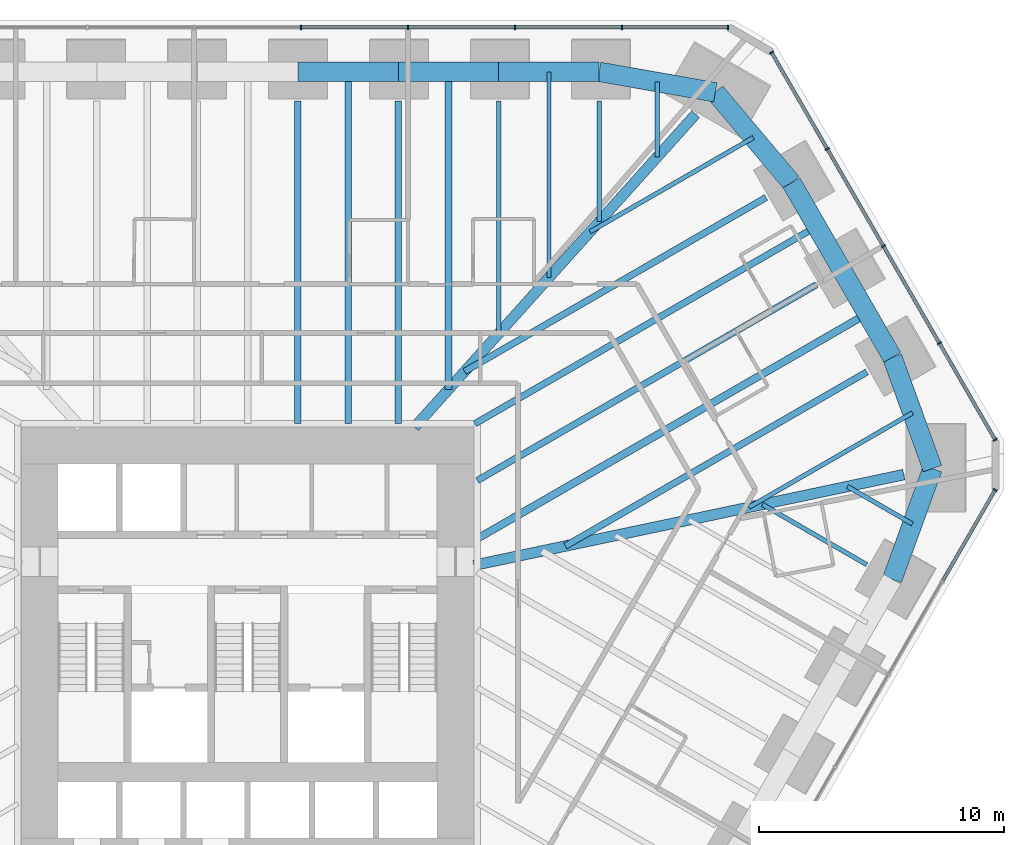
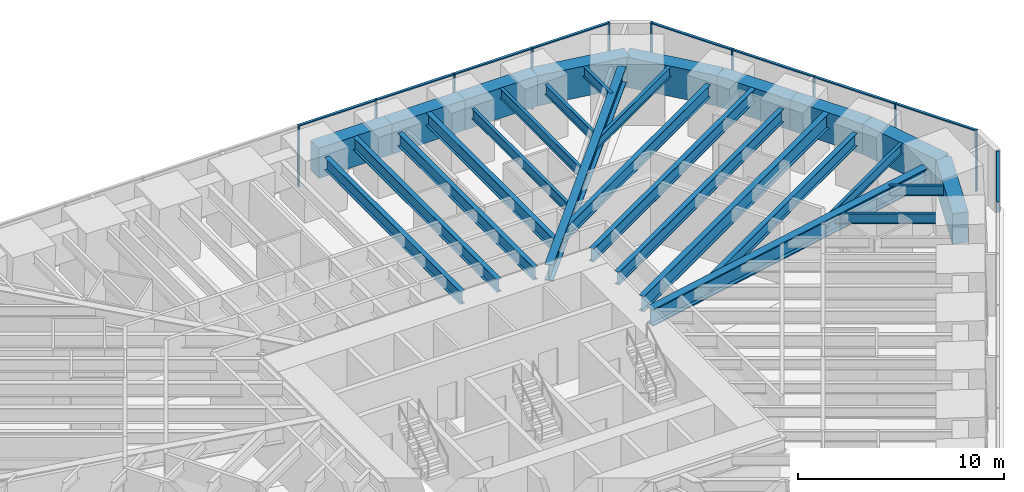
# One storey, part 9 of 17: 28 beams, 20 members, 3 elements without a shape of their own.
"""IFC4 building model written with IfcOpenShell, lengths in metres."""

import ifcopenshell
import ifcopenshell.guid

model = None  # the IFC model being written
_history = None  # IfcOwnerHistory: only IFC2X3 demands one
_inside = {}  # id of a spatial element -> (the spatial element, [elements in it])
_under = {}  # id of a project, library or spatial element -> (it, [spatial elements below it])
_declared = {}  # id of a project -> (the project, [libraries it declares])
_typed = {}  # id of a type object -> (the type object, [elements of that type])
_made_of = {}  # id of a material, layer set ... -> (it, [elements and type objects made of it])


def new_model(schema):
    """Start an empty IFC model of exactly this schema.

    Asked for "IFC4X3", IfcOpenShell would pick the latest addendum, in which some entities
    have other attributes; the version numbers below select the first issue.
    IFC2X3 requires an IfcOwnerHistory on every rooted entity: one is made here for all.
    """
    global model, _history
    if schema == "IFC4X3":
        model = ifcopenshell.file(schema_version=(4, 3, 0, 0))
    else:
        model = ifcopenshell.file(schema=schema)
    _inside.clear()
    _under.clear()
    _declared.clear()
    _typed.clear()
    _made_of.clear()
    _history = None
    if model.schema == "IFC2X3":
        org = make("IfcOrganization", Name="unknown")
        user = make(
            "IfcPersonAndOrganization",
            ThePerson=make("IfcPerson", FamilyName="unknown"),
            TheOrganization=org,
        )
        app = make(
            "IfcApplication",
            ApplicationDeveloper=org,
            Version="unknown",
            ApplicationFullName="unknown",
            ApplicationIdentifier="unknown",
        )
        _history = make(
            "IfcOwnerHistory",
            OwningUser=user,
            OwningApplication=app,
            ChangeAction="ADDED",
            CreationDate=0,
        )
    return model


def make(cls, **values):
    """One entity of the class cls with the attributes given. An attribute that is None is left unset."""
    return model.create_entity(
        cls, **{name: value for name, value in values.items() if value is not None}
    )


def rooted(cls, **values):
    """An entity with a GlobalId (a new one), such as an element, a storey or a relation."""
    return make(cls, GlobalId=ifcopenshell.guid.new(), OwnerHistory=_history, **values)


def si_unit(unit_type, name, prefix=None):
    """IfcSIUnit, for example si_unit("LENGTHUNIT", "METRE", prefix="MILLI")."""
    return make("IfcSIUnit", UnitType=unit_type, Prefix=prefix, Name=name)


def assignment(units):
    """IfcUnitAssignment: the units of a project."""
    return None if units is None else make("IfcUnitAssignment", Units=units)


def point(xyz):
    """IfcCartesianPoint."""
    return None if xyz is None else make("IfcCartesianPoint", Coordinates=xyz)


def direction(xyz):
    """IfcDirection."""
    return None if xyz is None else make("IfcDirection", DirectionRatios=xyz)


def frame(location, z_axis=None, x_axis=None):
    """IfcAxis2Placement3D, a coordinate frame: its origin and axes. An axis left out is left unset."""
    return make(
        "IfcAxis2Placement3D",
        Location=point(location),
        Axis=direction(z_axis),
        RefDirection=direction(x_axis),
    )


def frame_2d(location, x_axis=None):
    """IfcAxis2Placement2D, a coordinate frame in the plane: its origin and x axis."""
    return make(
        "IfcAxis2Placement2D", Location=point(location), RefDirection=direction(x_axis)
    )


def origin():
    """The frame at (0, 0, 0) with its axes left unset."""
    return frame((0.0, 0.0, 0.0))


def origin_2d():
    """The frame at (0, 0) in the plane with its x axis left unset."""
    return frame_2d((0.0, 0.0))


def place(relative_to, where):
    """IfcLocalPlacement: puts the frame where relative to a parent placement (None: the world)."""
    return make(
        "IfcLocalPlacement", PlacementRelTo=relative_to, RelativePlacement=where
    )


def context(
    kind, dimensions, precision=None, world=None, true_north=None, identifier=None
):
    """IfcGeometricRepresentationContext, for example the 3D "Model" context."""
    return make(
        "IfcGeometricRepresentationContext",
        ContextIdentifier=identifier,
        ContextType=kind,
        CoordinateSpaceDimension=dimensions,
        Precision=precision,
        WorldCoordinateSystem=world,
        TrueNorth=true_north,
    )


def subcontext(parent, identifier, kind, view, scale=None):
    """IfcGeometricRepresentationSubContext, for example "Body" below "Model"."""
    return make(
        "IfcGeometricRepresentationSubContext",
        ContextIdentifier=identifier,
        ContextType=kind,
        ParentContext=parent,
        TargetScale=scale,
        TargetView=view,
    )


def project(units=None, contexts=None):
    """IfcProject with its units and contexts."""
    return rooted(
        "IfcProject",
        Name="project",
        RepresentationContexts=contexts,
        UnitsInContext=assignment(units),
    )


def spatial(cls, under=None, at=None, **own):
    """A site, building, storey or space (cls), placed at a placement, below another one or the project."""
    s = rooted(cls, ObjectPlacement=at, **own)
    if under is not None:
        _under.setdefault(under.id(), (under, []))[1].append(s)
    return s


def profile(cls, at=None, kind="AREA", **sizes):
    """A parametric profile (cls). Its sizes go by their IFC names, for example OverallWidth=200.0."""
    return make(cls, ProfileType=kind, Position=at, **sizes)


def rectangle(**sizes):
    """IfcRectangleProfileDef."""
    return profile("IfcRectangleProfileDef", **sizes)


def i_section(**sizes):
    """IfcIShapeProfileDef."""
    return profile("IfcIShapeProfileDef", **sizes)


def extrude(swept, where, along, depth):
    """IfcExtrudedAreaSolid: the profile swept, set in the frame where, extruded along a direction by depth."""
    return make(
        "IfcExtrudedAreaSolid",
        SweptArea=swept,
        Position=where,
        ExtrudedDirection=direction(along),
        Depth=depth,
    )


def shape(context_of_items, identifier, shape_type, items):
    """IfcShapeRepresentation: the items that make up one representation, for example the "Body"."""
    return make(
        "IfcShapeRepresentation",
        ContextOfItems=context_of_items,
        RepresentationIdentifier=identifier,
        RepresentationType=shape_type,
        Items=items,
    )


def material(Name=None, Category=None):
    """IfcMaterial."""
    return make("IfcMaterial", Name=Name, Category=Category)


def material_profile(
    of_material, cross_section, Name=None, Category=None, Priority=None
):
    """IfcMaterialProfile: a cross section and its material."""
    return make(
        "IfcMaterialProfile",
        Name=Name,
        Material=of_material,
        Profile=cross_section,
        Priority=Priority,
        Category=Category,
    )


def profile_set(profiles, Name=None, composite=None):
    """IfcMaterialProfileSet."""
    return make(
        "IfcMaterialProfileSet",
        Name=Name,
        MaterialProfiles=profiles,
        CompositeProfile=composite,
    )


def made_of(thing, what):
    """Note that an element or type object is made of a material, layer set ...; save() writes the relation."""
    if what is not None:
        _made_of.setdefault(what.id(), (what, []))[1].append(thing)
    return thing


def type_object(cls, material=None, **own):
    """A type object (cls), such as IfcWallType, which elements share."""
    return made_of(rooted(cls, **own), material)


def element(
    cls,
    number,
    at=None,
    inside=None,
    cuts=None,
    type_object=None,
    material=None,
    context=None,
    identifier="Body",
    shape_type=None,
    held_by="IfcProductDefinitionShape",
    body=None,
    shapes=None,
    **own,
):
    """One element of the class cls, such as IfcWall. Its Tag is "e" and its number.

    at: its placement. inside: the storey or other place that contains it. cuts: it is an
    opening in that element (IfcRelVoidsElement). A single representation is given by context,
    identifier, shape_type and body (its items); several are given by shapes. held_by: the class
    of the entity that holds the representations. save() writes the other relations.
    """
    e = rooted(cls, Tag="e%d" % number, ObjectPlacement=at, **own)
    if body is not None:
        shapes = [shape(context, identifier, shape_type, body)]
    if shapes is not None:
        e.Representation = make(held_by, Representations=shapes)
    if inside is not None:
        _inside.setdefault(inside.id(), (inside, []))[1].append(e)
    if cuts is not None:
        rooted(
            "IfcRelVoidsElement", RelatingBuildingElement=cuts, RelatedOpeningElement=e
        )
    if type_object is not None:
        _typed.setdefault(type_object.id(), (type_object, []))[1].append(e)
    return made_of(e, material)


def aggregate(whole, parts):
    """IfcRelAggregates: a whole, such as a stair, and the parts it consists of."""
    return rooted("IfcRelAggregates", RelatingObject=whole, RelatedObjects=parts)


def save(model, path):
    """Write the relations noted so far, then the file.

    IfcRelAggregates (storeys below a building ...), IfcRelContainedInSpatialStructure (elements
    in a storey), IfcRelDefinesByType, IfcRelAssociatesMaterial and IfcRelDeclares: one each for
    every whole, place, type object, material and project.
    """
    for whole, parts in _under.values():
        aggregate(whole, parts)
    for where, things in _inside.values():
        rooted(
            "IfcRelContainedInSpatialStructure",
            RelatedElements=things,
            RelatingStructure=where,
        )
    for kind, things in _typed.values():
        rooted("IfcRelDefinesByType", RelatedObjects=things, RelatingType=kind)
    for what, things in _made_of.values():
        rooted("IfcRelAssociatesMaterial", RelatedObjects=things, RelatingMaterial=what)
    for by, libraries in _declared.values():
        rooted("IfcRelDeclares", RelatingContext=by, RelatedDefinitions=libraries)
    model.write(path)


model = new_model("IFC4")

# Units and contexts
model_context = context("Model", 3, precision=1e-05, world=origin(), true_north=direction((0.0, 1.0)))
body_context = subcontext(model_context, "Body", "Model", "MODEL_VIEW")
ifc_project = project(units=[si_unit("LENGTHUNIT", "METRE"), si_unit("AREAUNIT", "SQUARE_METRE"), si_unit("VOLUMEUNIT", "CUBIC_METRE"), si_unit("PLANEANGLEUNIT", "RADIAN"), si_unit("MASSUNIT", "GRAM", prefix="KILO")], contexts=[model_context])

# Site, building, storey
site_placement = place(None, origin())
site = spatial("IfcSite", under=ifc_project, at=site_placement, CompositionType="ELEMENT")
building_placement = place(site_placement, origin())
building = spatial("IfcBuilding", under=site, at=building_placement, Name="Sandreach Pilgrim Tower", CompositionType="ELEMENT")
storey_placement = place(building_placement, frame((0.0, 0.0, 68.60009765625)))
storey = spatial("IfcBuildingStorey", under=building, at=storey_placement, Name="L16", CompositionType="ELEMENT", Elevation=68.60009765625)

# Curtain wall, members
ifc_material_1 = material(Name="Aluminium framed curtain wall", Category="aluminium")
curtain_wall_type = type_object("IfcCurtainWallType", Name="Hostel tower curtain wall", PredefinedType="NOTDEFINED", material=ifc_material_1)
curtain_wall_1_placement = place(storey_placement, origin())
curtain_wall_1 = element("IfcCurtainWall", 1, at=curtain_wall_1_placement, inside=storey, type_object=curtain_wall_type, Name="CW-1 L16 N", PredefinedType="NOTDEFINED")
ifc_material_2 = material(Name="Aluminium extrusion", Category="aluminium")
ifc_material_profile_1 = material_profile(ifc_material_2, rectangle(XDim=0.06494140625, YDim=0.179931640625, at=origin_2d()), Name="CW-1M 65X180")
ifc_profile_set_1 = profile_set([ifc_material_profile_1], Name="Aluminium extrusion")
member_type_1 = type_object("IfcMemberType", Name="CW-1 mullion", PredefinedType="MULLION", material=ifc_profile_set_1)
member_1_placement = place(storey_placement, frame((2.185791015625, 23.94873046875, 0.0), z_axis=(0.0, 0.0, 1.0), x_axis=(1.0, 0.0, 0.0)))
member_1 = element("IfcMember", 2, at=member_1_placement, type_object=member_type_1, Name="CW-1 mullion 6", PredefinedType="MULLION", context=body_context, shape_type="SweptSolid", body=[
    extrude(rectangle(XDim=0.06494140625, YDim=0.179931640625, at=origin_2d()), origin(), (0.0, 0.0, 1.0), 3.639892578125),
])
member_2_placement = place(storey_placement, frame((6.557373046875, 23.94873046875, 0.0), z_axis=(0.0, 0.0, 1.0), x_axis=(1.0, 0.0, 0.0)))
member_2 = element("IfcMember", 3, at=member_2_placement, type_object=member_type_1, Name="CW-1 mullion 7", PredefinedType="MULLION", context=body_context, shape_type="SweptSolid", body=[
    extrude(rectangle(XDim=0.06494140625, YDim=0.179931640625, at=origin_2d()), origin(), (0.0, 0.0, 1.0), 3.639892578125),
])
member_3_placement = place(storey_placement, frame((10.928955078125, 23.94873046875, 0.0), z_axis=(0.0, 0.0, 1.0), x_axis=(1.0, 0.0, 0.0)))
member_3 = element("IfcMember", 4, at=member_3_placement, type_object=member_type_1, Name="CW-1 mullion 8", PredefinedType="MULLION", context=body_context, shape_type="SweptSolid", body=[
    extrude(rectangle(XDim=0.06494140625, YDim=0.179931640625, at=origin_2d()), origin(), (0.0, 0.0, 1.0), 3.639892578125),
])
member_4_placement = place(storey_placement, frame((15.300537109375, 23.94873046875, 0.0), z_axis=(0.0, 0.0, 1.0), x_axis=(1.0, 0.0, 0.0)))
member_4 = element("IfcMember", 5, at=member_4_placement, type_object=member_type_1, Name="CW-1 mullion 9", PredefinedType="MULLION", context=body_context, shape_type="SweptSolid", body=[
    extrude(rectangle(XDim=0.06494140625, YDim=0.179931640625, at=origin_2d()), origin(), (0.0, 0.0, 1.0), 3.639892578125),
])
member_5_placement = place(storey_placement, frame((19.6396484375, 23.94873046875, 0.0), z_axis=(0.0, 0.0, 1.0), x_axis=(1.0, 0.0, 0.0)))
member_5 = element("IfcMember", 6, at=member_5_placement, type_object=member_type_1, Name="CW-1 mullion 10", PredefinedType="MULLION", context=body_context, shape_type="SweptSolid", body=[
    extrude(rectangle(XDim=0.06494140625, YDim=0.179931640625, at=origin_2d()), origin(), (0.0, 0.0, 1.0), 3.639892578125),
])

curtain_wall_2_placement = place(storey_placement, origin())
curtain_wall_2 = element("IfcCurtainWall", 7, at=curtain_wall_2_placement, inside=storey, type_object=curtain_wall_type, Name="CW-1 L16 NE", PredefinedType="NOTDEFINED")
member_6_placement = place(storey_placement, frame((21.42041015625, 22.920654296875, 0.0), z_axis=(0.0, 0.0, 1.0), x_axis=(0.5, -0.866025403784, 0.0)))
member_6 = element("IfcMember", 8, at=member_6_placement, type_object=member_type_1, Name="CW-1 mullion 1", PredefinedType="MULLION", context=body_context, shape_type="SweptSolid", body=[
    extrude(rectangle(XDim=0.06494140625, YDim=0.179931640625, at=origin_2d()), origin(), (0.0, 0.0, 1.0), 3.639892578125),
])
member_7_placement = place(storey_placement, frame((23.697265625, 18.97705078125, 0.0), z_axis=(0.0, 0.0, 1.0), x_axis=(0.5, -0.866025403784, 0.0)))
member_7 = element("IfcMember", 9, at=member_7_placement, type_object=member_type_1, Name="CW-1 mullion 2", PredefinedType="MULLION", context=body_context, shape_type="SweptSolid", body=[
    extrude(rectangle(XDim=0.06494140625, YDim=0.179931640625, at=origin_2d()), origin(), (0.0, 0.0, 1.0), 3.639892578125),
])
member_8_placement = place(storey_placement, frame((25.990234375, 15.00537109375, 0.0), z_axis=(0.0, 0.0, 1.0), x_axis=(0.5, -0.866025403784, 0.0)))
member_8 = element("IfcMember", 10, at=member_8_placement, type_object=member_type_1, Name="CW-1 mullion 3", PredefinedType="MULLION", context=body_context, shape_type="SweptSolid", body=[
    extrude(rectangle(XDim=0.06494140625, YDim=0.179931640625, at=origin_2d()), origin(), (0.0, 0.0, 1.0), 3.639892578125),
])
member_9_placement = place(storey_placement, frame((28.283203125, 11.03369140625, 0.0), z_axis=(0.0, 0.0, 1.0), x_axis=(0.5, -0.866025403784, 0.0)))
member_9 = element("IfcMember", 11, at=member_9_placement, type_object=member_type_1, Name="CW-1 mullion 4", PredefinedType="MULLION", context=body_context, shape_type="SweptSolid", body=[
    extrude(rectangle(XDim=0.06494140625, YDim=0.179931640625, at=origin_2d()), origin(), (0.0, 0.0, 1.0), 3.639892578125),
])
member_10_placement = place(storey_placement, frame((30.56005859375, 7.09033203125, 0.0), z_axis=(0.0, 0.0, 1.0), x_axis=(0.5, -0.866025403784, 0.0)))
member_10 = element("IfcMember", 12, at=member_10_placement, type_object=member_type_1, Name="CW-1 mullion 5", PredefinedType="MULLION", context=body_context, shape_type="SweptSolid", body=[
    extrude(rectangle(XDim=0.06494140625, YDim=0.179931640625, at=origin_2d()), origin(), (0.0, 0.0, 1.0), 3.639892578125),
])

# Curtain wall, member
curtain_wall_3_placement = place(storey_placement, origin())
curtain_wall_3 = element("IfcCurtainWall", 13, at=curtain_wall_3_placement, inside=storey, type_object=curtain_wall_type, Name="CW-1 L16 SE", PredefinedType="NOTDEFINED")
member_11_placement = place(storey_placement, frame((30.56005859375, 5.033935546875, 0.0), z_axis=(0.0, 0.0, 1.0), x_axis=(-0.5, -0.866025403784, 0.0)))
member_11 = element("IfcMember", 14, at=member_11_placement, type_object=member_type_1, Name="CW-1 mullion 1", PredefinedType="MULLION", context=body_context, shape_type="SweptSolid", body=[
    extrude(rectangle(XDim=0.06494140625, YDim=0.179931640625, at=origin_2d()), origin(), (0.0, 0.0, 1.0), 3.639892578125),
])

# Member
ifc_material_3 = material(Name="Aluminium extrusion", Category="aluminium")
ifc_material_profile_2 = material_profile(ifc_material_3, rectangle(XDim=0.139892578125, YDim=0.070068359375, at=origin_2d()), Name="CW-1T 140X70")
ifc_profile_set_2 = profile_set([ifc_material_profile_2], Name="Aluminium extrusion")
member_type_2 = type_object("IfcMemberType", Name="CW-1 transom", PredefinedType="USERDEFINED", material=ifc_profile_set_2)
member_12_placement = place(storey_placement, frame((2.21826171875, 23.94873046875, 3.60498046875), z_axis=(1.0, 0.0, 0.0), x_axis=(0.0, 1.0, 0.0)))
member_12 = element("IfcMember", 15, at=member_12_placement, type_object=member_type_2, Name="CW-1 head transom 6", ObjectType="TRANSOM", PredefinedType="USERDEFINED", context=body_context, shape_type="SweptSolid", body=[
    extrude(rectangle(XDim=0.139892578125, YDim=0.070068359375, at=origin_2d()), origin(), (0.0, 0.0, 1.0), 4.306640625),
])

member_13_placement = place(storey_placement, frame((6.58984375, 23.94873046875, 3.60498046875), z_axis=(1.0, 0.0, 0.0), x_axis=(0.0, 1.0, 0.0)))
member_13 = element("IfcMember", 16, at=member_13_placement, type_object=member_type_2, Name="CW-1 head transom 7", ObjectType="TRANSOM", PredefinedType="USERDEFINED", context=body_context, shape_type="SweptSolid", body=[
    extrude(rectangle(XDim=0.139892578125, YDim=0.070068359375, at=origin_2d()), origin(), (0.0, 0.0, 1.0), 4.306640625),
])

member_14_placement = place(storey_placement, frame((10.96142578125, 23.94873046875, 3.60498046875), z_axis=(1.0, 0.0, 0.0), x_axis=(0.0, 1.0, 0.0)))
member_14 = element("IfcMember", 17, at=member_14_placement, type_object=member_type_2, Name="CW-1 head transom 8", ObjectType="TRANSOM", PredefinedType="USERDEFINED", context=body_context, shape_type="SweptSolid", body=[
    extrude(rectangle(XDim=0.139892578125, YDim=0.070068359375, at=origin_2d()), origin(), (0.0, 0.0, 1.0), 4.306640625),
])

member_15_placement = place(storey_placement, frame((15.3330078125, 23.94873046875, 3.60498046875), z_axis=(1.0, 0.0, 0.0), x_axis=(0.0, 1.0, 0.0)))
member_15 = element("IfcMember", 18, at=member_15_placement, type_object=member_type_2, Name="CW-1 head transom 9", ObjectType="TRANSOM", PredefinedType="USERDEFINED", context=body_context, shape_type="SweptSolid", body=[
    extrude(rectangle(XDim=0.139892578125, YDim=0.070068359375, at=origin_2d()), origin(), (0.0, 0.0, 1.0), 4.274169921875),
])

aggregate(curtain_wall_1, [member_1, member_2, member_3, member_4, member_5, member_12, member_13, member_14, member_15])

member_16_placement = place(storey_placement, frame((21.4365234375, 22.892333984375, 3.60498046875), z_axis=(0.500017500808, -0.866015299452, 0.0), x_axis=(0.866015299452, 0.500017500808, 0.0)))
member_16 = element("IfcMember", 19, at=member_16_placement, type_object=member_type_2, Name="CW-1 head transom 1", ObjectType="TRANSOM", PredefinedType="USERDEFINED", context=body_context, shape_type="SweptSolid", body=[
    extrude(rectangle(XDim=0.139892578125, YDim=0.070068359375, at=origin_2d()), origin(), (0.0, 0.0, 1.0), 4.488525390625),
])

member_17_placement = place(storey_placement, frame((23.71337890625, 18.948974609375, 3.60498046875), z_axis=(0.500001366228, -0.866024614991, 0.0), x_axis=(0.866024614991, 0.500001366228, 0.0)))
member_17 = element("IfcMember", 20, at=member_17_placement, type_object=member_type_2, Name="CW-1 head transom 2", ObjectType="TRANSOM", PredefinedType="USERDEFINED", context=body_context, shape_type="SweptSolid", body=[
    extrude(rectangle(XDim=0.139892578125, YDim=0.070068359375, at=origin_2d()), origin(), (0.0, 0.0, 1.0), 4.52099609375),
])

member_18_placement = place(storey_placement, frame((26.00634765625, 14.977294921875, 3.60498046875), z_axis=(0.500001366228, -0.866024614991, 0.0), x_axis=(0.866024614991, 0.500001366228, 0.0)))
member_18 = element("IfcMember", 21, at=member_18_placement, type_object=member_type_2, Name="CW-1 head transom 3", ObjectType="TRANSOM", PredefinedType="USERDEFINED", context=body_context, shape_type="SweptSolid", body=[
    extrude(rectangle(XDim=0.139892578125, YDim=0.070068359375, at=origin_2d()), origin(), (0.0, 0.0, 1.0), 4.52099609375),
])

member_19_placement = place(storey_placement, frame((28.299560546875, 11.005615234375, 3.60498046875), z_axis=(0.499976706761, -0.866038851724, 0.0), x_axis=(0.866038851724, 0.499976706761, 0.0)))
member_19 = element("IfcMember", 22, at=member_19_placement, type_object=member_type_2, Name="CW-1 head transom 4", ObjectType="TRANSOM", PredefinedType="USERDEFINED", context=body_context, shape_type="SweptSolid", body=[
    extrude(rectangle(XDim=0.139892578125, YDim=0.070068359375, at=origin_2d()), origin(), (0.0, 0.0, 1.0), 4.488525390625),
])

aggregate(curtain_wall_2, [member_6, member_7, member_8, member_9, member_10, member_16, member_17, member_18, member_19])

member_20_placement = place(storey_placement, frame((30.543701171875, 5.005859375, 3.60498046875), z_axis=(-0.499991113271, -0.866030534479, 0.0), x_axis=(0.866030534479, -0.499991113271, 0.0)))
member_20 = element("IfcMember", 23, at=member_20_placement, type_object=member_type_2, Name="CW-1 head transom 1", ObjectType="TRANSOM", PredefinedType="USERDEFINED", context=body_context, shape_type="SweptSolid", body=[
    extrude(rectangle(XDim=0.139892578125, YDim=0.070068359375, at=origin_2d()), origin(), (0.0, 0.0, 1.0), 4.27392578125),
])

aggregate(curtain_wall_3, [member_11, member_20])

# Beams
ifc_material_4 = material(Name="Steel ASTM A992 Grade 50", Category="steel")
ifc_material_profile_3 = material_profile(ifc_material_4, i_section(OverallWidth=0.4267578125, OverallDepth=0.975341796875, WebThickness=0.031005859375, FlangeThickness=0.055908203125, at=origin_2d()), Name="W36X395")
ifc_profile_set_3 = profile_set([ifc_material_profile_3], Name="Steel ASTM A992 Grade 50")
beam_type_1 = type_object("IfcBeamType", Name="Corner girder W36X395", PredefinedType="BEAM", material=ifc_profile_set_3)
beam_1_placement = place(storey_placement, frame((18.318359375, 20.400390625, 3.15234375), z_axis=(-0.668125373618, -0.744048711529, 0.0), x_axis=(0.744048711529, -0.668125373618, 0.0)))
element("IfcBeam", 24, at=beam_1_placement, inside=storey, type_object=beam_type_1, Name="BM L16 CG09", PredefinedType="BEAM", context=body_context, shape_type="SweptSolid", body=[
    extrude(i_section(OverallWidth=0.4267578125, OverallDepth=0.975341796875, WebThickness=0.031005859375, FlangeThickness=0.055908203125, at=origin_2d()), origin(), (0.0, 0.0, 1.0), 17.20361328125),
])
ifc_material_5 = material(Name="Steel ASTM A992 Grade 50", Category="steel")
ifc_material_profile_4 = material_profile(ifc_material_5, i_section(OverallWidth=0.434326171875, OverallDepth=0.998291015625, WebThickness=0.0380859375, FlangeThickness=0.068115234375, at=origin_2d()), Name="W36X487")
ifc_profile_set_4 = profile_set([ifc_material_profile_4], Name="Steel ASTM A992 Grade 50")
beam_type_2 = type_object("IfcBeamType", Name="Corner girder W36X487", PredefinedType="BEAM", material=ifc_profile_set_4)
beam_2_placement = place(storey_placement, frame((26.826416015625, 5.663818359375, 3.140869140625), z_axis=(-0.978430224976, -0.20657757587, 0.0), x_axis=(0.20657757587, -0.978430224976, 0.0)))
element("IfcBeam", 25, at=beam_2_placement, inside=storey, type_object=beam_type_2, Name="BM L16 CG13", PredefinedType="BEAM", context=body_context, shape_type="SweptSolid", body=[
    extrude(i_section(OverallWidth=0.434326171875, OverallDepth=0.998291015625, WebThickness=0.0380859375, FlangeThickness=0.068115234375, at=origin_2d()), origin(), (0.0, 0.0, 1.0), 17.9638671875),
])
ifc_material_6 = material(Name="Steel ASTM A992 Grade 50", Category="steel")
ifc_material_profile_5 = material_profile(ifc_material_6, i_section(OverallWidth=0.1787109375, OverallDepth=0.60205078125, WebThickness=0.010986328125, FlangeThickness=0.014892578125, at=origin_2d()), Name="W24X62")
ifc_profile_set_5 = profile_set([ifc_material_profile_5], Name="Steel ASTM A992 Grade 50")
beam_type_3 = type_object("IfcBeamType", Name="Floor beam W24X62", PredefinedType="BEAM", material=ifc_profile_set_5)
beam_3_placement = place(storey_placement, frame((10.265625, 20.93017578125, 3.3388671875), z_axis=(0.0, -1.0, 0.0), x_axis=(1.0, 0.0, 0.0)))
element("IfcBeam", 26, at=beam_3_placement, inside=storey, type_object=beam_type_3, Name="BM L16 F07", PredefinedType="BEAM", context=body_context, shape_type="SweptSolid", body=[
    extrude(i_section(OverallWidth=0.1787109375, OverallDepth=0.60205078125, WebThickness=0.010986328125, FlangeThickness=0.014892578125, at=origin_2d()), origin(), (0.0, 0.0, 1.0), 9.49755859375),
])
beam_4_placement = place(storey_placement, frame((14.3720703125, 20.93017578125, 3.3388671875), z_axis=(0.0, -1.0, 0.0), x_axis=(1.0, 0.0, 0.0)))
element("IfcBeam", 27, at=beam_4_placement, inside=storey, type_object=beam_type_3, Name="BM L16 F08", PredefinedType="BEAM", context=body_context, shape_type="SweptSolid", body=[
    extrude(i_section(OverallWidth=0.1787109375, OverallDepth=0.60205078125, WebThickness=0.010986328125, FlangeThickness=0.014892578125, at=origin_2d()), origin(), (0.0, 0.0, 1.0), 4.924560546875),
])
beam_5_placement = place(storey_placement, frame((25.312255859375, 1.9814453125, 3.3388671875), z_axis=(-0.86601964755, 0.500009969958, 0.0), x_axis=(-0.500009969958, -0.86601964755, 0.0)))
element("IfcBeam", 28, at=beam_5_placement, inside=storey, type_object=beam_type_3, Name="BM L16 F14", PredefinedType="BEAM", context=body_context, shape_type="SweptSolid", body=[
    extrude(i_section(OverallWidth=0.1787109375, OverallDepth=0.60205078125, WebThickness=0.010986328125, FlangeThickness=0.014892578125, at=origin_2d()), origin(), (0.0, 0.0, 1.0), 4.9248046875),
])
beam_6_placement = place(storey_placement, frame((12.31884765625, 22.13037109375, 3.3388671875), z_axis=(0.0, -1.0, 0.0), x_axis=(1.0, 0.0, 0.0)))
element("IfcBeam", 29, at=beam_6_placement, inside=storey, type_object=beam_type_3, Name="BM L16 FM07", PredefinedType="BEAM", context=body_context, shape_type="SweptSolid", body=[
    extrude(i_section(OverallWidth=0.1787109375, OverallDepth=0.60205078125, WebThickness=0.010986328125, FlangeThickness=0.014892578125, at=origin_2d()), origin(), (0.0, 0.0, 1.0), 8.411376953125),
])
beam_7_placement = place(storey_placement, frame((16.74609375, 21.711669921875, 3.3388671875), z_axis=(0.0, -1.0, 0.0), x_axis=(1.0, 0.0, 0.0)))
element("IfcBeam", 30, at=beam_7_placement, inside=storey, type_object=beam_type_3, Name="BM L16 FM08", PredefinedType="BEAM", context=body_context, shape_type="SweptSolid", body=[
    extrude(i_section(OverallWidth=0.1787109375, OverallDepth=0.60205078125, WebThickness=0.010986328125, FlangeThickness=0.014892578125, at=origin_2d()), origin(), (0.0, 0.0, 1.0), 3.062255859375),
])
for number, where, z_axis, x_axis, name in (
    (31, (20.67724609375, 19.44384765625, 3.3388671875), (-0.866012755734, -0.500021906426, 0.0), (0.500021906426, -0.866012755734, 0.0), "BM L16 FM09"),
    (32, (27.177490234375, 8.185302734375, 3.3388671875), (-0.866020666339, -0.500008205406, 0.0), (0.500008205406, -0.866020666339, 0.0), "BM L16 FM12"),
):
    element("IfcBeam", number, at=place(storey_placement, frame(where, z_axis=z_axis, x_axis=x_axis)), inside=storey, type_object=beam_type_3, Name=name, PredefinedType="BEAM", context=body_context, shape_type="SweptSolid", body=[
        extrude(i_section(OverallWidth=0.1787109375, OverallDepth=0.60205078125, WebThickness=0.010986328125, FlangeThickness=0.014892578125, at=origin_2d()), origin(), (0.0, 0.0, 1.0), 7.716064453125),
    ])
beam_8_placement = place(storey_placement, frame((27.176025390625, 3.646728515625, 3.3388671875), z_axis=(-0.866051500264, 0.499954796847, 0.0), x_axis=(-0.499954796847, -0.866051500264, 0.0)))
element("IfcBeam", 33, at=beam_8_placement, inside=storey, type_object=beam_type_3, Name="BM L16 FM13", PredefinedType="BEAM", context=body_context, shape_type="SweptSolid", body=[
    extrude(i_section(OverallWidth=0.1787109375, OverallDepth=0.60205078125, WebThickness=0.010986328125, FlangeThickness=0.014892578125, at=origin_2d()), origin(), (0.0, 0.0, 1.0), 3.062255859375),
])
ifc_material_7 = material(Name="Steel ASTM A992 Grade 50", Category="steel")
ifc_material_profile_6 = material_profile(ifc_material_7, i_section(OverallWidth=0.2666015625, OverallDepth=0.761962890625, WebThickness=0.014404296875, FlangeThickness=0.021484375, at=origin_2d()), Name="W30X116")
ifc_profile_set_6 = profile_set([ifc_material_profile_6], Name="Steel ASTM A992 Grade 50")
beam_type_4 = type_object("IfcBeamType", Name="Floor beam W30X116", PredefinedType="BEAM", material=ifc_profile_set_6)
for number, where, z_axis, x_axis, name in (
    (34, (2.05322265625, 20.93017578125, 3.2587890625), (0.0, -1.0, 0.0), (1.0, 0.0, 0.0), "BM L16 F05"),
    (35, (6.159423828125, 20.93017578125, 3.2587890625), (0.0, -1.0, 0.0), (1.0, 0.0, 0.0), "BM L16 F06"),
):
    element("IfcBeam", number, at=place(storey_placement, frame(where, z_axis=z_axis, x_axis=x_axis)), inside=storey, type_object=beam_type_4, Name=name, PredefinedType="BEAM", context=body_context, shape_type="SweptSolid", body=[
        extrude(i_section(OverallWidth=0.2666015625, OverallDepth=0.761962890625, WebThickness=0.014404296875, FlangeThickness=0.021484375, at=origin_2d()), origin(), (0.0, 0.0, 1.0), 13.186767578125),
    ])
for number, where, z_axis, x_axis, name in (
    (36, (21.1953125, 16.994140625, 3.2587890625), (-0.866025039732, -0.500000630557, 0.0), (0.500000630557, -0.866025039732, 0.0), "BM L16 F10"),
    (37, (25.315185546875, 9.858642578125, 3.2587890625), (-0.866025039732, -0.500000630557, 0.0), (0.500000630557, -0.866025039732, 0.0), "BM L16 F12"),
):
    element("IfcBeam", number, at=place(storey_placement, frame(where, z_axis=z_axis, x_axis=x_axis)), inside=storey, type_object=beam_type_4, Name=name, PredefinedType="BEAM", context=body_context, shape_type="SweptSolid", body=[
        extrude(i_section(OverallWidth=0.2666015625, OverallDepth=0.761962890625, WebThickness=0.014404296875, FlangeThickness=0.021484375, at=origin_2d()), origin(), (0.0, 0.0, 1.0), 14.23193359375),
    ])
beam_9_placement = place(storey_placement, frame((4.106201171875, 22.13037109375, 3.2587890625), z_axis=(0.0, -1.0, 0.0), x_axis=(1.0, 0.0, 0.0)))
element("IfcBeam", 38, at=beam_9_placement, inside=storey, type_object=beam_type_4, Name="BM L16 FM05", PredefinedType="BEAM", context=body_context, shape_type="SweptSolid", body=[
    extrude(i_section(OverallWidth=0.2666015625, OverallDepth=0.761962890625, WebThickness=0.014404296875, FlangeThickness=0.021484375, at=origin_2d()), origin(), (0.0, 0.0, 1.0), 14.386962890625),
])
beam_10_placement = place(storey_placement, frame((8.212646484375, 22.13037109375, 3.2587890625), z_axis=(0.0, -1.0, 0.0), x_axis=(1.0, 0.0, 0.0)))
element("IfcBeam", 39, at=beam_10_placement, inside=storey, type_object=beam_type_4, Name="BM L16 FM06", PredefinedType="BEAM", context=body_context, shape_type="SweptSolid", body=[
    extrude(i_section(OverallWidth=0.2666015625, OverallDepth=0.761962890625, WebThickness=0.014404296875, FlangeThickness=0.021484375, at=origin_2d()), origin(), (0.0, 0.0, 1.0), 12.984375),
])
ifc_material_8 = material(Name="Steel ASTM A992 Grade 50", Category="steel")
ifc_material_profile_7 = material_profile(ifc_material_8, i_section(OverallWidth=0.2666015625, OverallDepth=0.77978515625, WebThickness=0.0166015625, FlangeThickness=0.030029296875, at=origin_2d()), Name="W30X148")
ifc_profile_set_7 = profile_set([ifc_material_profile_7], Name="Steel ASTM A992 Grade 50")
beam_type_5 = type_object("IfcBeamType", Name="Floor beam W30X148", PredefinedType="BEAM", material=ifc_profile_set_7)
beam_11_placement = place(storey_placement, frame((23.255126953125, 13.426513671875, 3.25), z_axis=(-0.866024040474, -0.500002361316, 0.0), x_axis=(0.500002361316, -0.866024040474, 0.0)))
element("IfcBeam", 40, at=beam_11_placement, inside=storey, type_object=beam_type_5, Name="BM L16 F11", PredefinedType="BEAM", context=body_context, shape_type="SweptSolid", body=[
    extrude(i_section(OverallWidth=0.2666015625, OverallDepth=0.77978515625, WebThickness=0.0166015625, FlangeThickness=0.030029296875, at=origin_2d()), origin(), (0.0, 0.0, 1.0), 16.00634765625),
])
beam_12_placement = place(storey_placement, frame((23.264404296875, 15.810302734375, 3.25), z_axis=(-0.866027587406, -0.499996217838, 0.0), x_axis=(0.499996217838, -0.866027587406, 0.0)))
element("IfcBeam", 41, at=beam_12_placement, inside=storey, type_object=beam_type_5, Name="BM L16 FM10", PredefinedType="BEAM", context=body_context, shape_type="SweptSolid", body=[
    extrude(i_section(OverallWidth=0.2666015625, OverallDepth=0.77978515625, WebThickness=0.0166015625, FlangeThickness=0.030029296875, at=origin_2d()), origin(), (0.0, 0.0, 1.0), 16.1337890625),
])
ifc_material_9 = material(Name="Steel ASTM A992 Grade 50", Category="steel")
ifc_material_profile_8 = material_profile(ifc_material_9, i_section(OverallWidth=0.3046875, OverallDepth=0.914306640625, WebThickness=0.0166015625, FlangeThickness=0.02587890625, at=origin_2d()), Name="W36X160")
ifc_profile_set_8 = profile_set([ifc_material_profile_8], Name="Steel ASTM A992 Grade 50")
beam_type_6 = type_object("IfcBeamType", Name="Floor beam W36X160", PredefinedType="BEAM", material=ifc_profile_set_8)
beam_13_placement = place(storey_placement, frame((25.324462890625, 12.242431640625, 3.1826171875), z_axis=(-0.866027785622, -0.499995874514, 0.0), x_axis=(0.499995874514, -0.866027785622, 0.0)))
element("IfcBeam", 42, at=beam_13_placement, inside=storey, type_object=beam_type_6, Name="BM L16 FM11", PredefinedType="BEAM", context=body_context, shape_type="SweptSolid", body=[
    extrude(i_section(OverallWidth=0.3046875, OverallDepth=0.914306640625, WebThickness=0.0166015625, FlangeThickness=0.02587890625, at=origin_2d()), origin(), (0.0, 0.0, 1.0), 18.395751953125),
])
ifc_material_10 = material(Name="Concrete 10000 psi", Category="concrete")
ifc_material_profile_9 = material_profile(ifc_material_10, rectangle(XDim=0.800048828125, YDim=1.800048828125, at=origin_2d()), Name="RC800X1800")
ifc_profile_set_9 = profile_set([ifc_material_profile_9], Name="Concrete 10000 psi")
beam_type_7 = type_object("IfcBeamType", Name="Spandrel beam RC800X1800", PredefinedType="SPANDREL", material=ifc_profile_set_9)
for number, where, z_axis, x_axis, name in (
    (43, (2.05322265625, 22.13037109375, 2.739990234375), (1.0, 0.0, 0.0), (0.0, 1.0, 0.0), "BM L16 SP05"),
    (44, (6.159423828125, 22.13037109375, 2.739990234375), (1.0, 0.0, 0.0), (0.0, 1.0, 0.0), "BM L16 SP06"),
):
    element("IfcBeam", number, at=place(storey_placement, frame(where, z_axis=z_axis, x_axis=x_axis)), inside=storey, type_object=beam_type_7, Name=name, PredefinedType="SPANDREL", context=body_context, shape_type="SweptSolid", body=[
        extrude(rectangle(XDim=0.800048828125, YDim=1.800048828125, at=origin_2d()), origin(), (0.0, 0.0, 1.0), 4.106201171875),
    ])
beam_14_placement = place(storey_placement, frame((10.265625, 22.13037109375, 2.739990234375), z_axis=(1.0, 0.0, 0.0), x_axis=(0.0, 1.0, 0.0)))
element("IfcBeam", 45, at=beam_14_placement, inside=storey, type_object=beam_type_7, Name="BM L16 SP07", PredefinedType="SPANDREL", context=body_context, shape_type="SweptSolid", body=[
    extrude(rectangle(XDim=0.800048828125, YDim=1.800048828125, at=origin_2d()), origin(), (0.0, 0.0, 1.0), 4.1064453125),
])
beam_15_placement = place(storey_placement, frame((14.3720703125, 22.13037109375, 2.739990234375), z_axis=(0.984809546548, -0.173638005713, 0.0), x_axis=(0.173638005713, 0.984809546548, 0.0)))
element("IfcBeam", 46, at=beam_15_placement, inside=storey, type_object=beam_type_7, Name="BM L16 SP08", PredefinedType="SPANDREL", context=body_context, shape_type="SweptSolid", body=[
    extrude(rectangle(XDim=0.800048828125, YDim=1.800048828125, at=origin_2d()), origin(), (0.0, 0.0, 1.0), 4.8212890625),
])
beam_16_placement = place(storey_placement, frame((19.1201171875, 21.293212890625, 2.739990234375), z_axis=(0.644084437333, -0.764954402292, 0.0), x_axis=(0.764954402292, 0.644084437333, 0.0)))
element("IfcBeam", 47, at=beam_16_placement, inside=storey, type_object=beam_type_7, Name="BM L16 SP09", PredefinedType="SPANDREL", context=body_context, shape_type="SweptSolid", body=[
    extrude(rectangle(XDim=0.800048828125, YDim=1.800048828125, at=origin_2d()), origin(), (0.0, 0.0, 1.0), 4.83544921875),
])
for number, where, z_axis, x_axis, name in (
    (48, (22.234619140625, 17.59423828125, 2.739990234375), (0.499982362409, -0.866035586613, 0.0), (0.866035586613, 0.499982362409, 0.0), "BM L16 SP10"),
    (49, (24.29443359375, 14.0263671875, 2.739990234375), (0.499982362409, -0.866035586613, 0.0), (0.866035586613, 0.499982362409, 0.0), "BM L16 SP11"),
):
    element("IfcBeam", number, at=place(storey_placement, frame(where, z_axis=z_axis, x_axis=x_axis)), inside=storey, type_object=beam_type_7, Name=name, PredefinedType="SPANDREL", context=body_context, shape_type="SweptSolid", body=[
        extrude(rectangle(XDim=0.800048828125, YDim=1.800048828125, at=origin_2d()), origin(), (0.0, 0.0, 1.0), 4.119873046875),
    ])
beam_17_placement = place(storey_placement, frame((26.354248046875, 10.45849609375, 2.739990234375), z_axis=(0.340449549345, -0.940262784732, 0.0), x_axis=(0.940262784732, 0.340449549345, 0.0)))
element("IfcBeam", 50, at=beam_17_placement, inside=storey, type_object=beam_type_7, Name="BM L16 SP12", PredefinedType="SPANDREL", context=body_context, shape_type="SweptSolid", body=[
    extrude(rectangle(XDim=0.800048828125, YDim=1.800048828125, at=origin_2d()), origin(), (0.0, 0.0, 1.0), 4.83544921875),
])
beam_18_placement = place(storey_placement, frame((28.00048828125, 5.911865234375, 2.739990234375), z_axis=(-0.342056109359, -0.939679529441, 0.0), x_axis=(0.939679529441, -0.342056109359, 0.0)))
element("IfcBeam", 51, at=beam_18_placement, inside=storey, type_object=beam_type_7, Name="BM L16 SP13", PredefinedType="SPANDREL", context=body_context, shape_type="SweptSolid", body=[
    extrude(rectangle(XDim=0.800048828125, YDim=1.800048828125, at=origin_2d()), origin(), (0.0, 0.0, 1.0), 4.8212890625),
])

save(model, "model.ifc")
